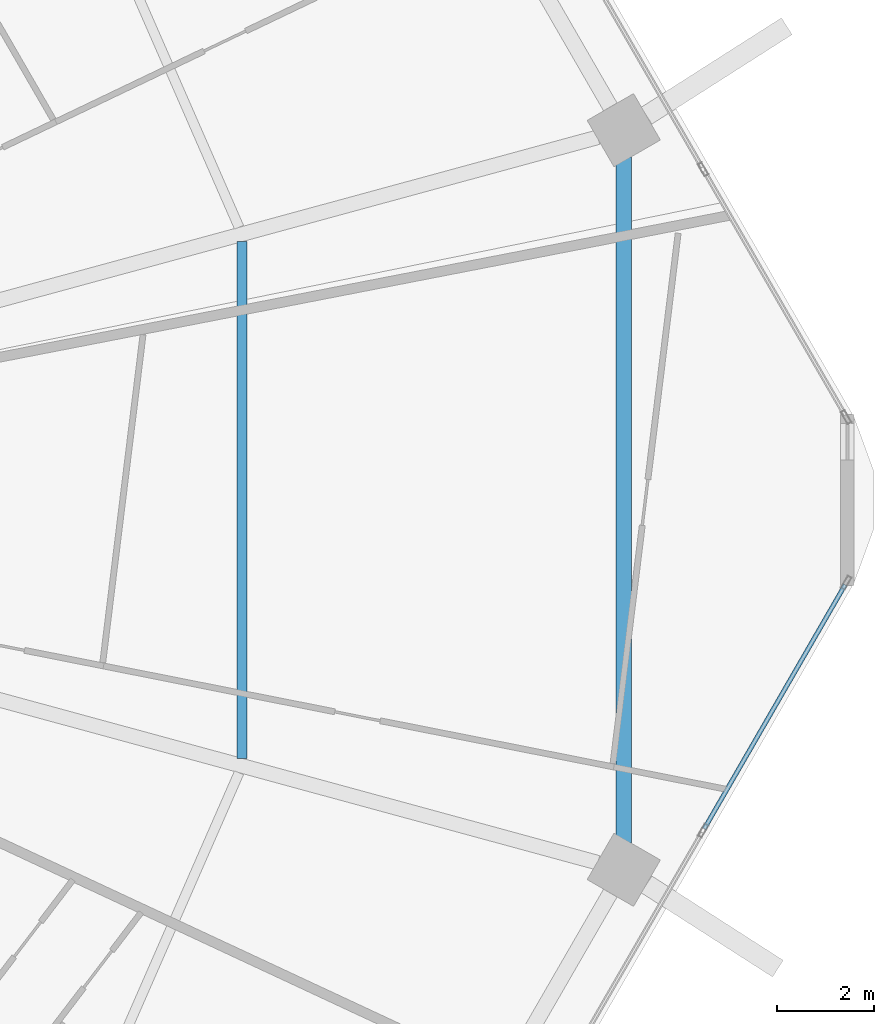
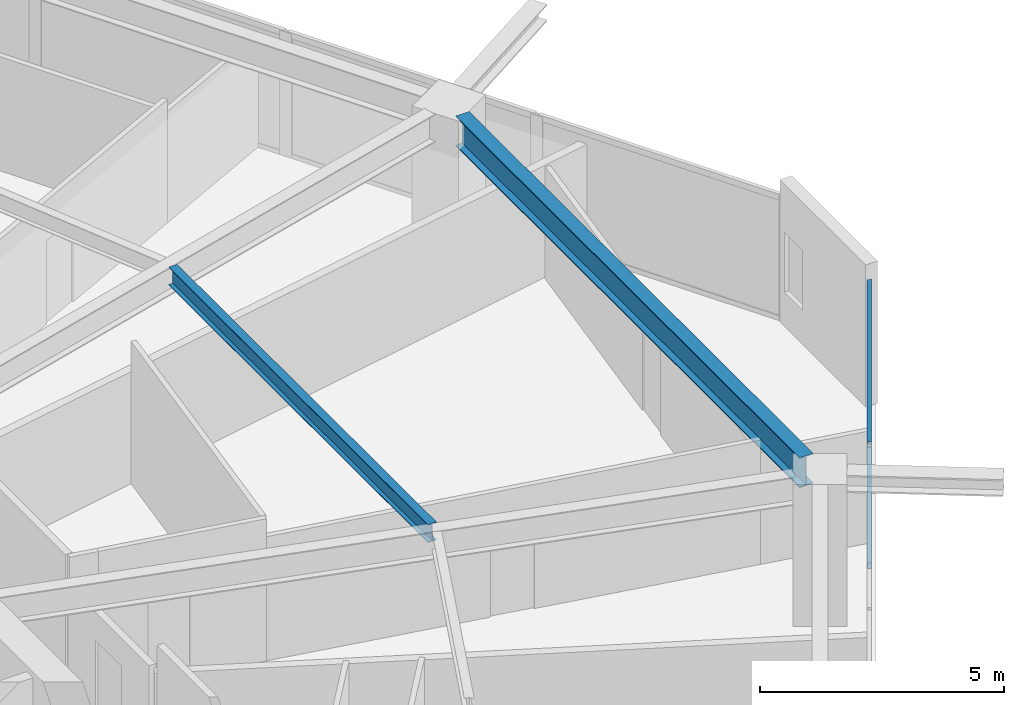
# One storey, part 12 of 33: 2 beams, 2 members, 1 element without a shape of its own.
"""IFC4 building model written with IfcOpenShell, lengths in metres."""

from ifc_helpers import new_model, si_unit, direction, frame, origin, origin_2d, place, context, subcontext, project, spatial, hollow_rectangle, i_section, extrude, material, material_profile, profile_set, type_object, element, aggregate, save


model = new_model("IFC4")

# Units and contexts
model_context = context("Model", 3, precision=1e-05, world=origin(), true_north=direction((0.0, 1.0)))
body_context = subcontext(model_context, "Body", "Model", "MODEL_VIEW")
ifc_project = project(units=[si_unit("LENGTHUNIT", "METRE"), si_unit("AREAUNIT", "SQUARE_METRE"), si_unit("VOLUMEUNIT", "CUBIC_METRE"), si_unit("PLANEANGLEUNIT", "RADIAN"), si_unit("MASSUNIT", "GRAM", prefix="KILO")], contexts=[model_context])

# Site, building, storey
site_placement = place(None, origin())
site = spatial("IfcSite", under=ifc_project, at=site_placement, CompositionType="ELEMENT")
building_placement = place(site_placement, origin())
building = spatial("IfcBuilding", under=site, at=building_placement, Name="Zuhravey Tower", CompositionType="ELEMENT")
storey_placement = place(building_placement, frame((0.0, 0.0, 126.60009765625)))
storey = spatial("IfcBuildingStorey", under=building, at=storey_placement, Name="L31", CompositionType="ELEMENT", Elevation=126.60009765625)

# Curtain wall, members
ifc_material_1 = material(Name="Thermally broken anodised aluminium", Category="aluminium")
curtain_wall_type = type_object("IfcCurtainWallType", Name="Zone 1-2 Residential Curtain Wall CW3", PredefinedType="NOTDEFINED", material=ifc_material_1)
curtain_wall_placement = place(storey_placement, origin())
curtain_wall = element("IfcCurtainWall", 1, at=curtain_wall_placement, inside=storey, type_object=curtain_wall_type, Name="L31 CW3 CW-L31-F6-1", PredefinedType="NOTDEFINED")
ifc_material_2 = material(Name="Anodised aluminium", Category="aluminium")
ifc_material_profile_1 = material_profile(ifc_material_2, hollow_rectangle(XDim=0.090087890625, YDim=0.14990234375, WallThickness=0.0048828125, at=origin_2d()), Name="ALU-RHS-90x150x5")
ifc_profile_set_1 = profile_set([ifc_material_profile_1], Name="Anodised aluminium")
member_type = type_object("IfcMemberType", Name="Curtain-Wall Transom 90x150", PredefinedType="USERDEFINED", material=ifc_profile_set_1)
member_1_placement = place(storey_placement, frame((68.43359375, 30.259521484375, 0.044921875), z_axis=(-0.500024450573, -0.866011286779, 0.0), x_axis=(0.866011286779, -0.500024450573, 0.0)))
member_1 = element("IfcMember", 2, at=member_1_placement, type_object=member_type, Name="CW3 transom 1.1", ObjectType="TRANSOM", PredefinedType="USERDEFINED", context=body_context, shape_type="SweptSolid", body=[
    extrude(hollow_rectangle(XDim=0.090087890625, YDim=0.14990234375, WallThickness=0.0048828125, at=origin_2d()), origin(), (0.0, 0.0, 1.0), 5.784912109375),
])
member_2_placement = place(storey_placement, frame((68.43359375, 30.259521484375, 3.076904296875), z_axis=(-0.500024450573, -0.866011286779, 0.0), x_axis=(0.866011286779, -0.500024450573, 0.0)))
member_2 = element("IfcMember", 3, at=member_2_placement, type_object=member_type, Name="CW3 transom 1.2", ObjectType="TRANSOM", PredefinedType="USERDEFINED", context=body_context, shape_type="SweptSolid", body=[
    extrude(hollow_rectangle(XDim=0.090087890625, YDim=0.14990234375, WallThickness=0.0048828125, at=origin_2d()), origin(), (0.0, 0.0, 1.0), 5.784912109375),
])
aggregate(curtain_wall, [member_1, member_2])

# Beams
ifc_material_3 = material(Name="Steel SM355", Category="steel")
ifc_material_profile_2 = material_profile(ifc_material_3, i_section(OverallWidth=0.320068359375, OverallDepth=0.75, WebThickness=0.013916015625, FlangeThickness=0.02490234375, at=origin_2d()), Name="H-750x320x14x25")
ifc_profile_set_2 = profile_set([ifc_material_profile_2], Name="Steel SM355")
beam_type_1 = type_object("IfcBeamType", Name="Perimeter Ring Beam H750x320", PredefinedType="BEAM", material=ifc_profile_set_2)
beam_1_placement = place(storey_placement, frame((63.88916015625, 24.96142578125, 3.1748046875), z_axis=(0.0, 1.0, 0.0), x_axis=(-1.0, 0.0, 0.0)))
element("IfcBeam", 4, at=beam_1_placement, inside=storey, type_object=beam_type_1, Name="L31 PB1 BM-L31-PB-12", PredefinedType="BEAM", context=body_context, shape_type="SweptSolid", body=[
    extrude(i_section(OverallWidth=0.320068359375, OverallDepth=0.75, WebThickness=0.013916015625, FlangeThickness=0.02490234375, at=origin_2d()), origin(), (0.0, 0.0, 1.0), 14.0771484375),
])
ifc_material_profile_3 = material_profile(ifc_material_3, i_section(OverallWidth=0.199951171875, OverallDepth=0.449951171875, WebThickness=0.009033203125, FlangeThickness=0.013916015625, at=origin_2d()), Name="H-450x200x9x14")
ifc_profile_set_3 = profile_set([ifc_material_profile_3], Name="Steel SM355")
beam_type_2 = type_object("IfcBeamType", Name="Secondary Floor Joist H450x200", PredefinedType="JOIST", material=ifc_profile_set_3)
beam_2_placement = place(storey_placement, frame((56.052490234375, 26.695556640625, 3.324951171875), z_axis=(0.0, 1.0, 0.0), x_axis=(-1.0, 0.0, 0.0)))
element("IfcBeam", 5, at=beam_2_placement, inside=storey, type_object=beam_type_2, Name="L31 SJ1 BM-L31-SJ-12-1", PredefinedType="JOIST", context=body_context, shape_type="SweptSolid", body=[
    extrude(i_section(OverallWidth=0.199951171875, OverallDepth=0.449951171875, WebThickness=0.009033203125, FlangeThickness=0.013916015625, at=origin_2d()), origin(), (0.0, 0.0, 1.0), 10.60888671875),
])

save(model, "model.ifc")
